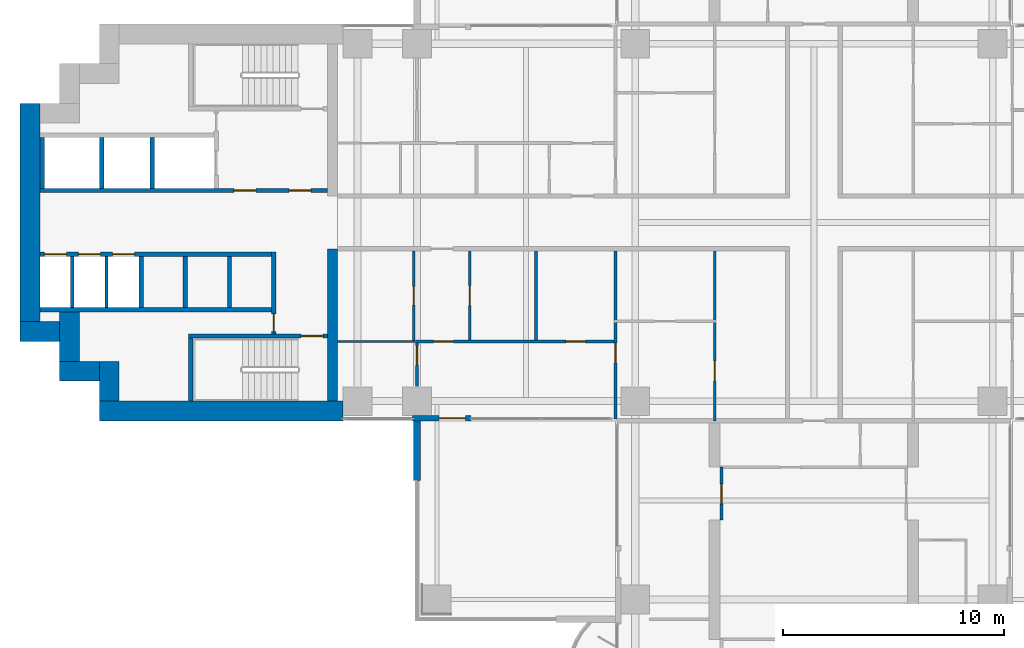
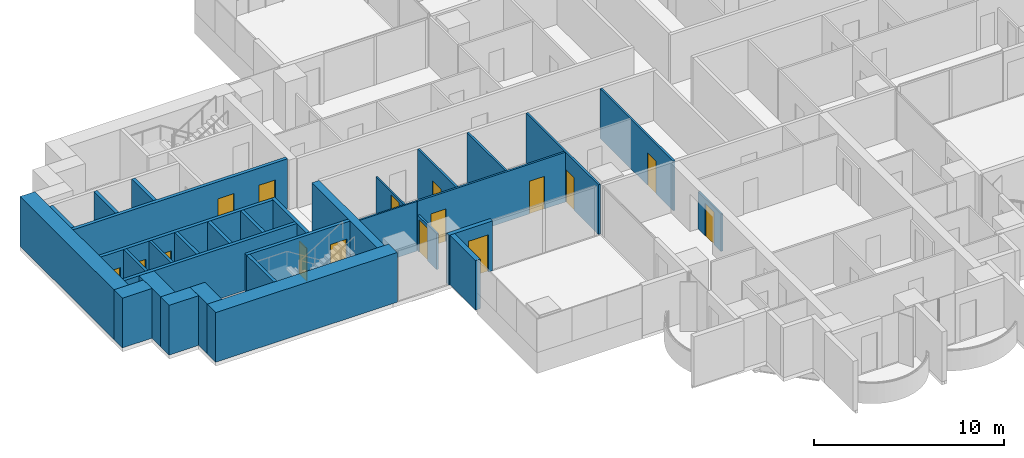
# One storey, part 10 of 21: 32 walls, 16 doors, 16 openings.
"""IFC4 building model written with IfcOpenShell, lengths in metres."""

from ifc_helpers import new_model, si_unit, direction, frame, frame_2d, origin, place, context, subcontext, project, spatial, rectangle, extrude, material, layer, layer_set, type_object, element, fill, save


model = new_model("IFC4")

# Units and contexts
model_context = context("Model", 3, precision=1e-05, world=origin(), true_north=direction((0.0, 1.0)))
body_context = subcontext(model_context, "Body", "Model", "MODEL_VIEW")
ifc_project = project(units=[si_unit("LENGTHUNIT", "METRE"), si_unit("AREAUNIT", "SQUARE_METRE"), si_unit("VOLUMEUNIT", "CUBIC_METRE"), si_unit("PLANEANGLEUNIT", "RADIAN"), si_unit("MASSUNIT", "GRAM", prefix="KILO")], contexts=[model_context])

# Site, building, storey
site_placement = place(None, origin())
site = spatial("IfcSite", under=ifc_project, at=site_placement, CompositionType="ELEMENT")
building_placement = place(site_placement, origin())
building = spatial("IfcBuilding", under=site, at=building_placement, Name="Perihelion Cross Residences", CompositionType="ELEMENT")
storey_placement = place(building_placement, frame((0.0, 0.0, 89.0)))
storey = spatial("IfcBuildingStorey", under=building, at=storey_placement, Name="L20", CompositionType="ELEMENT", Elevation=89.0)

# Wall, opening, door
ifc_material_1 = material(Name="Concrete C30/37, bronze-clad", Category="concrete")
ifc_layer_1 = layer(ifc_material_1, 0.25)
ifc_layer_set_1 = layer_set([ifc_layer_1], Name="Bronze-clad pier wall 250")
wall_type_1 = type_object("IfcWallType", Name="Bronze-clad pier wall 250", PredefinedType="SOLIDWALL", material=ifc_layer_set_1)
wall_1_placement = place(storey_placement, frame((-18.199951171875, -8.875, 0.0), z_axis=(0.0, 0.0, 1.0), x_axis=(1.0, 0.0, 0.0)))
wall_1 = element("IfcWall", 1, at=wall_1_placement, inside=storey, type_object=wall_type_1, Name="Wall FW1 L20 west side south bay 2 pier", PredefinedType="SOLIDWALL", context=body_context, shape_type="SweptSolid", body=[
    extrude(rectangle(XDim=2.64990234375, YDim=0.25, at=frame_2d((1.324951171875, 0.0))), origin(), (0.0, 0.0, 1.0), 3.199951171875),
])
opening_1_placement = place(wall_1_placement, frame((1.199951171875, 0.0, 0.0)))
opening_1 = element("IfcOpeningElement", 2, at=opening_1_placement, cuts=wall_1, Name="Opening L20.E09", PredefinedType="OPENING", context=body_context, shape_type="SweptSolid", body=[
    extrude(rectangle(XDim=1.199951171875, YDim=2.39990234375, at=frame_2d((0.60009765625, 1.199951171875))), frame((0.0, 0.135009765625, 0.0), z_axis=(0.0, -1.0, 0.0), x_axis=(1.0, 0.0, 0.0)), (0.0, 0.0, 1.0), 0.27001953125),
])
ifc_material_2 = material(Name="Bronze anodised aluminium, glazed", Category="aluminium")
door_type_1 = type_object("IfcDoorType", Name="Balcony door 1200 x 2400", OperationType="NOTDEFINED", PredefinedType="DOOR", material=ifc_material_2)
door_1_placement = place(opening_1_placement, origin())
door_1 = element("IfcDoor", 3, at=door_1_placement, inside=storey, type_object=door_type_1, Name="Door L20.E09 west side south bay 2", OperationType="SINGLE_SWING_RIGHT", OverallHeight=2.39990234375, OverallWidth=1.199951171875, PredefinedType="DOOR", context=body_context, shape_type="SweptSolid", body=[
    extrude(rectangle(XDim=1.199951171875, YDim=2.39990234375, at=frame_2d((0.60009765625, 1.199951171875))), frame((0.0, 0.02490234375, 0.0), z_axis=(0.0, -1.0, 0.0), x_axis=(1.0, 0.0, 0.0)), (0.0, 0.0, 1.0), 0.050048828125),
])
fill(opening_1, door_1)

# Walls
ifc_material_3 = material(Name="Concrete C60/75", Category="concrete")
ifc_layer_2 = layer(ifc_material_3, 0.449951171875)
ifc_layer_set_2 = layer_set([ifc_layer_2], Name="Core wall, inner 450")
wall_type_2 = type_object("IfcWallType", Name="Core wall, inner 450", PredefinedType="SHEAR", material=ifc_layer_set_2)
wall_2_placement = place(storey_placement, frame((-21.824951171875, -8.10009765625, 0.0), z_axis=(0.0, 0.0, 1.0), x_axis=(0.0, 1.0, 0.0)))
element("IfcWall", 4, at=wall_2_placement, inside=storey, type_object=wall_type_2, Name="West core core wall, inner", PredefinedType="SHEAR", context=body_context, shape_type="SweptSolid", body=[
    extrude(rectangle(XDim=6.900146484375, YDim=0.449951171875, at=frame_2d((3.4501953125, 0.0))), origin(), (0.0, 0.0, 1.0), 3.199951171875),
])
ifc_material_4 = material(Name="Concrete C60/75", Category="concrete")
ifc_layer_3 = layer(ifc_material_4, 0.89990234375)
ifc_layer_set_3 = layer_set([ifc_layer_3], Name="Core wall, outer 900")
wall_type_3 = type_object("IfcWallType", Name="Core wall, outer 900", PredefinedType="SHEAR", material=ifc_layer_set_3)
wall_3_placement = place(storey_placement, frame((-32.39990234375, -8.550048828125, 0.0), z_axis=(0.0, 0.0, 1.0), x_axis=(1.0, 0.0, 0.0)))
element("IfcWall", 5, at=wall_3_placement, inside=storey, type_object=wall_type_3, Name="West core core wall, outer", PredefinedType="SHEAR", context=body_context, shape_type="SweptSolid", body=[
    extrude(rectangle(XDim=11.0498046875, YDim=0.89990234375, at=frame_2d((5.52490234375, 0.0))), origin(), (0.0, 0.0, 1.0), 3.199951171875),
])
for number, where, z_axis, x_axis, name in (
    (6, (-31.949951171875, -8.10009765625, 0.0), (0.0, 0.0, 1.0), (0.0, 1.0, 0.0), "West core core wall, outer"),
    (7, (-34.199951171875, -6.75, 0.0), (0.0, 0.0, 1.0), (1.0, 0.0, 0.0), "West core core wall, outer"),
):
    element("IfcWall", number, at=place(storey_placement, frame(where, z_axis=z_axis, x_axis=x_axis)), inside=storey, type_object=wall_type_3, Name=name, PredefinedType="SHEAR", context=body_context, shape_type="SweptSolid", body=[
        extrude(rectangle(XDim=1.800048828125, YDim=0.89990234375, at=frame_2d((0.89990234375, 0.0))), origin(), (0.0, 0.0, 1.0), 3.199951171875),
    ])
wall_4_placement = place(storey_placement, frame((-33.75, -6.300048828125, 0.0), z_axis=(0.0, 0.0, 1.0), x_axis=(0.0, 1.0, 0.0)))
element("IfcWall", 8, at=wall_4_placement, inside=storey, type_object=wall_type_3, Name="West core core wall, outer", PredefinedType="SHEAR", context=body_context, shape_type="SweptSolid", body=[
    extrude(rectangle(XDim=2.25, YDim=0.89990234375, at=frame_2d((1.125, 0.0))), origin(), (0.0, 0.0, 1.0), 3.199951171875),
])
wall_5_placement = place(storey_placement, frame((-36.0, -4.949951171875, 0.0), z_axis=(0.0, 0.0, 1.0), x_axis=(1.0, 0.0, 0.0)))
element("IfcWall", 9, at=wall_5_placement, inside=storey, type_object=wall_type_3, Name="West core core wall, outer", PredefinedType="SHEAR", context=body_context, shape_type="SweptSolid", body=[
    extrude(rectangle(XDim=1.800048828125, YDim=0.89990234375, at=frame_2d((0.89990234375, 0.0))), origin(), (0.0, 0.0, 1.0), 3.199951171875),
])
wall_6_placement = place(storey_placement, frame((-35.550048828125, -4.5, 0.0), z_axis=(0.0, 0.0, 1.0), x_axis=(0.0, 1.0, 0.0)))
element("IfcWall", 10, at=wall_6_placement, inside=storey, type_object=wall_type_3, Name="West core core wall, outer", PredefinedType="SHEAR", context=body_context, shape_type="SweptSolid", body=[
    extrude(rectangle(XDim=9.89990234375, YDim=0.89990234375, at=frame_2d((4.949951171875, 0.0))), origin(), (0.0, 0.0, 1.0), 3.199951171875),
])

# Wall, opening, door
ifc_material_5 = material(Name="Plasterboard partition")
ifc_layer_4 = layer(ifc_material_5, 0.1201171875)
ifc_layer_set_4 = layer_set([ifc_layer_4], Name="Infill panel 120")
wall_type_4 = type_object("IfcWallType", Name="Infill panel 120", PredefinedType="PARTITIONING", material=ifc_layer_set_4)
wall_7_placement = place(storey_placement, frame((-4.18994140625, -11.10009765625, 0.0), z_axis=(0.0, 0.0, 1.0), x_axis=(0.0, -1.0, 0.0)))
wall_7 = element("IfcWall", 11, at=wall_7_placement, inside=storey, type_object=wall_type_4, Name="Partition L20 WI07", PredefinedType="PARTITIONING", context=body_context, shape_type="SweptSolid", body=[
    extrude(rectangle(XDim=2.39990234375, YDim=0.1201171875, at=frame_2d((1.199951171875, 0.0))), origin(), (0.0, 0.0, 1.0), 2.39990234375),
])
opening_2_placement = place(wall_7_placement, frame((0.75, 0.0, 0.0)))
opening_2 = element("IfcOpeningElement", 12, at=opening_2_placement, cuts=wall_7, Name="Opening L20.A63", PredefinedType="OPENING", context=body_context, shape_type="SweptSolid", body=[
    extrude(rectangle(XDim=0.89990234375, YDim=2.10009765625, at=frame_2d((0.449951171875, 1.050048828125))), frame((0.0, 0.070068359375, 0.0), z_axis=(0.0, -1.0, 0.0), x_axis=(1.0, 0.0, 0.0)), (0.0, 0.0, 1.0), 0.14013671875),
])
ifc_material_6 = material(Name="Timber door leaf", Category="wood")
door_type_2 = type_object("IfcDoorType", Name="Interior room door 900 x 2100", OperationType="SINGLE_SWING_LEFT", PredefinedType="DOOR", material=ifc_material_6)
door_2_placement = place(opening_2_placement, origin())
door_2 = element("IfcDoor", 13, at=door_2_placement, inside=storey, type_object=door_type_2, Name="Door L20.A63", OperationType="SINGLE_SWING_LEFT", OverallHeight=2.10009765625, OverallWidth=0.89990234375, PredefinedType="DOOR", context=body_context, shape_type="SweptSolid", body=[
    extrude(rectangle(XDim=0.89990234375, YDim=2.10009765625, at=frame_2d((0.449951171875, 1.050048828125))), frame((0.0, 0.02490234375, 0.0), z_axis=(0.0, -1.0, 0.0), x_axis=(1.0, 0.0, 0.0)), (0.0, 0.0, 1.0), 0.050048828125),
])
fill(opening_2, door_2)

ifc_material_7 = material(Name="Concrete C50/60", Category="concrete")
ifc_layer_5 = layer(ifc_material_7, 0.199951171875)
ifc_layer_set_5 = layer_set([ifc_layer_5], Name="Lobby wall 200")
wall_type_5 = type_object("IfcWallType", Name="Lobby wall 200", PredefinedType="SOLIDWALL", material=ifc_layer_set_5)
wall_8_placement = place(storey_placement, frame((-24.5, -5.050048828125, 0.0), z_axis=(0.0, 0.0, 1.0), x_axis=(0.0, 1.0, 0.0)))
wall_8 = element("IfcWall", 14, at=wall_8_placement, inside=storey, type_object=wall_type_5, Name="West core lobby wall", PredefinedType="SOLIDWALL", context=body_context, shape_type="SweptSolid", body=[
    extrude(rectangle(XDim=3.699951171875, YDim=0.199951171875, at=frame_2d((1.85009765625, 0.0))), origin(), (0.0, 0.0, 1.0), 3.199951171875),
])
opening_3_placement = place(wall_8_placement, frame((0.10009765625, 0.0, 0.0)))
opening_3 = element("IfcOpeningElement", 15, at=opening_3_placement, cuts=wall_8, Name="Opening L20.C18", PredefinedType="OPENING", context=body_context, shape_type="SweptSolid", body=[
    extrude(rectangle(XDim=0.800048828125, YDim=2.10009765625, at=frame_2d((0.39990234375, 1.050048828125))), frame((0.0, 0.10986328125, 0.0), z_axis=(0.0, -1.0, 0.0), x_axis=(1.0, 0.0, 0.0)), (0.0, 0.0, 1.0), 0.219970703125),
])
ifc_material_8 = material(Name="Steel, powder coated", Category="steel")
door_type_3 = type_object("IfcDoorType", Name="Riser door 800", OperationType="SINGLE_SWING_LEFT", PredefinedType="DOOR", material=ifc_material_8)
door_3_placement = place(opening_3_placement, origin())
door_3 = element("IfcDoor", 16, at=door_3_placement, inside=storey, type_object=door_type_3, Name="West core riser door", OperationType="SINGLE_SWING_LEFT", OverallHeight=2.10009765625, OverallWidth=0.800048828125, PredefinedType="DOOR", context=body_context, shape_type="SweptSolid", body=[
    extrude(rectangle(XDim=0.800048828125, YDim=2.10009765625, at=frame_2d((0.39990234375, 1.050048828125))), frame((0.0, 0.02490234375, 0.0), z_axis=(0.0, -1.0, 0.0), x_axis=(1.0, 0.0, 0.0)), (0.0, 0.0, 1.0), 0.050048828125),
])
fill(opening_3, door_3)

# Wall
ifc_material_9 = material(Name="Plasterboard partition")
ifc_layer_6 = layer(ifc_material_9, 0.1201171875)
ifc_layer_set_6 = layer_set([ifc_layer_6], Name="Partition wall 120")
wall_type_6 = type_object("IfcWallType", Name="Partition wall 120", PredefinedType="PARTITIONING", material=ifc_layer_set_6)
wall_9_placement = place(storey_placement, frame((-12.60009765625, -5.340087890625, 0.0), z_axis=(0.0, 0.0, 1.0), x_axis=(0.0, 1.0, 0.0)))
element("IfcWall", 17, at=wall_9_placement, inside=storey, type_object=wall_type_6, Name="Partition L20 W040", PredefinedType="PARTITIONING", context=body_context, shape_type="SweptSolid", body=[
    extrude(rectangle(XDim=4.0400390625, YDim=0.1201171875, at=frame_2d((2.02001953125, 0.0))), origin(), (0.0, 0.0, 1.0), 3.199951171875),
])

# Wall, openings, doors
wall_10_placement = place(storey_placement, frame((-8.93994140625, -5.39990234375, 0.0), z_axis=(0.0, 0.0, 1.0), x_axis=(-1.0, 0.0, 0.0)))
wall_10 = element("IfcWall", 18, at=wall_10_placement, inside=storey, type_object=wall_type_6, Name="Partition L20 W041", PredefinedType="PARTITIONING", context=body_context, shape_type="SweptSolid", body=[
    extrude(rectangle(XDim=9.1201171875, YDim=0.1201171875, at=frame_2d((4.56005859375, 0.0))), origin(), (0.0, 0.0, 1.0), 3.199951171875),
])
opening_4_placement = place(wall_10_placement, frame((1.409912109375, 0.0, 0.0)))
opening_4 = element("IfcOpeningElement", 19, at=opening_4_placement, cuts=wall_10, Name="Opening L20.A28", PredefinedType="OPENING", context=body_context, shape_type="SweptSolid", body=[
    extrude(rectangle(XDim=0.89990234375, YDim=2.10009765625, at=frame_2d((0.449951171875, 1.050048828125))), frame((0.0, 0.070068359375, 0.0), z_axis=(0.0, -1.0, 0.0), x_axis=(1.0, 0.0, 0.0)), (0.0, 0.0, 1.0), 0.14013671875),
])
opening_5_placement = place(wall_10_placement, frame((7.409912109375, 0.0, 0.0)))
opening_5 = element("IfcOpeningElement", 20, at=opening_5_placement, cuts=wall_10, Name="Opening L20.A33", PredefinedType="OPENING", context=body_context, shape_type="SweptSolid", body=[
    extrude(rectangle(XDim=0.89990234375, YDim=2.10009765625, at=frame_2d((0.449951171875, 1.050048828125))), frame((0.0, 0.070068359375, 0.0), z_axis=(0.0, -1.0, 0.0), x_axis=(1.0, 0.0, 0.0)), (0.0, 0.0, 1.0), 0.14013671875),
])
door_4_placement = place(opening_4_placement, origin())
door_4 = element("IfcDoor", 21, at=door_4_placement, inside=storey, type_object=door_type_2, Name="Door L20.A28", OperationType="SINGLE_SWING_RIGHT", OverallHeight=2.10009765625, OverallWidth=0.89990234375, PredefinedType="DOOR", context=body_context, shape_type="SweptSolid", body=[
    extrude(rectangle(XDim=0.89990234375, YDim=2.10009765625, at=frame_2d((0.449951171875, 1.050048828125))), frame((0.0, 0.02490234375, 0.0), z_axis=(0.0, -1.0, 0.0), x_axis=(1.0, 0.0, 0.0)), (0.0, 0.0, 1.0), 0.050048828125),
])
fill(opening_4, door_4)
door_5_placement = place(opening_5_placement, origin())
door_5 = element("IfcDoor", 22, at=door_5_placement, inside=storey, type_object=door_type_2, Name="Door L20.A33", OperationType="SINGLE_SWING_LEFT", OverallHeight=2.10009765625, OverallWidth=0.89990234375, PredefinedType="DOOR", context=body_context, shape_type="SweptSolid", body=[
    extrude(rectangle(XDim=0.89990234375, YDim=2.10009765625, at=frame_2d((0.449951171875, 1.050048828125))), frame((0.0, 0.02490234375, 0.0), z_axis=(0.0, -1.0, 0.0), x_axis=(1.0, 0.0, 0.0)), (0.0, 0.0, 1.0), 0.050048828125),
])
fill(opening_5, door_5)

# Wall, opening, door
wall_11_placement = place(storey_placement, frame((-9.0, -1.300048828125, 0.0), z_axis=(0.0, 0.0, 1.0), x_axis=(0.0, -1.0, 0.0)))
wall_11 = element("IfcWall", 23, at=wall_11_placement, inside=storey, type_object=wall_type_6, Name="Partition L20 W042", PredefinedType="PARTITIONING", context=body_context, shape_type="SweptSolid", body=[
    extrude(rectangle(XDim=7.619873046875, YDim=0.1201171875, at=frame_2d((3.81005859375, 0.0))), origin(), (0.0, 0.0, 1.0), 3.199951171875),
])
opening_6_placement = place(wall_11_placement, frame((4.169921875, 0.0, 0.0)))
opening_6 = element("IfcOpeningElement", 24, at=opening_6_placement, cuts=wall_11, Name="Opening L20.A30", PredefinedType="OPENING", context=body_context, shape_type="SweptSolid", body=[
    extrude(rectangle(XDim=0.89990234375, YDim=2.10009765625, at=frame_2d((0.449951171875, 1.050048828125))), frame((0.0, 0.070068359375, 0.0), z_axis=(0.0, -1.0, 0.0), x_axis=(1.0, 0.0, 0.0)), (0.0, 0.0, 1.0), 0.14013671875),
])
door_6_placement = place(opening_6_placement, origin())
door_6 = element("IfcDoor", 25, at=door_6_placement, inside=storey, type_object=door_type_2, Name="Door L20.A30", OperationType="SINGLE_SWING_RIGHT", OverallHeight=2.10009765625, OverallWidth=0.89990234375, PredefinedType="DOOR", context=body_context, shape_type="SweptSolid", body=[
    extrude(rectangle(XDim=0.89990234375, YDim=2.10009765625, at=frame_2d((0.449951171875, 1.050048828125))), frame((0.0, 0.02490234375, 0.0), z_axis=(0.0, -1.0, 0.0), x_axis=(1.0, 0.0, 0.0)), (0.0, 0.0, 1.0), 0.050048828125),
])
fill(opening_6, door_6)

wall_12_placement = place(storey_placement, frame((-15.60009765625, -5.340087890625, 0.0), z_axis=(0.0, 0.0, 1.0), x_axis=(0.0, 1.0, 0.0)))
wall_12 = element("IfcWall", 26, at=wall_12_placement, inside=storey, type_object=wall_type_6, Name="Partition L20 W043", PredefinedType="PARTITIONING", context=body_context, shape_type="SweptSolid", body=[
    extrude(rectangle(XDim=4.0400390625, YDim=0.1201171875, at=frame_2d((2.02001953125, 0.0))), origin(), (0.0, 0.0, 1.0), 3.199951171875),
])
opening_7_placement = place(wall_12_placement, frame((1.570068359375, 0.0, 0.0)))
opening_7 = element("IfcOpeningElement", 27, at=opening_7_placement, cuts=wall_12, Name="Opening L20.A26", PredefinedType="OPENING", context=body_context, shape_type="SweptSolid", body=[
    extrude(rectangle(XDim=0.89990234375, YDim=2.10009765625, at=frame_2d((0.449951171875, 1.050048828125))), frame((0.0, 0.070068359375, 0.0), z_axis=(0.0, -1.0, 0.0), x_axis=(1.0, 0.0, 0.0)), (0.0, 0.0, 1.0), 0.14013671875),
])
door_7_placement = place(opening_7_placement, origin())
door_7 = element("IfcDoor", 28, at=door_7_placement, inside=storey, type_object=door_type_2, Name="Door L20.A26", OperationType="SINGLE_SWING_LEFT", OverallHeight=2.10009765625, OverallWidth=0.89990234375, PredefinedType="DOOR", context=body_context, shape_type="SweptSolid", body=[
    extrude(rectangle(XDim=0.89990234375, YDim=2.10009765625, at=frame_2d((0.449951171875, 1.050048828125))), frame((0.0, 0.02490234375, 0.0), z_axis=(0.0, -1.0, 0.0), x_axis=(1.0, 0.0, 0.0)), (0.0, 0.0, 1.0), 0.050048828125),
])
fill(opening_7, door_7)

wall_13_placement = place(storey_placement, frame((-18.0, -7.449951171875, 0.0), z_axis=(0.0, 0.0, 1.0), x_axis=(0.0, 1.0, 0.0)))
wall_13 = element("IfcWall", 29, at=wall_13_placement, inside=storey, type_object=wall_type_6, Name="Partition L20 W046", PredefinedType="PARTITIONING", context=body_context, shape_type="SweptSolid", body=[
    extrude(rectangle(XDim=1.989990234375, YDim=0.1201171875, at=frame_2d((0.9951171875, 0.0))), origin(), (0.0, 0.0, 1.0), 2.2958984375),
])
opening_8_placement = place(wall_13_placement, frame((0.969970703125, 0.0, 0.0)))
opening_8 = element("IfcOpeningElement", 30, at=opening_8_placement, cuts=wall_13, Name="Opening L20.A31", PredefinedType="OPENING", context=body_context, shape_type="SweptSolid", body=[
    extrude(rectangle(XDim=0.89990234375, YDim=2.10009765625, at=frame_2d((0.449951171875, 1.050048828125))), frame((0.0, 0.070068359375, 0.0), z_axis=(0.0, -1.0, 0.0), x_axis=(1.0, 0.0, 0.0)), (0.0, 0.0, 1.0), 0.14013671875),
])
door_8_placement = place(opening_8_placement, origin())
door_8 = element("IfcDoor", 31, at=door_8_placement, inside=storey, type_object=door_type_2, Name="Door L20.A31", OperationType="SINGLE_SWING_LEFT", OverallHeight=2.10009765625, OverallWidth=0.89990234375, PredefinedType="DOOR", context=body_context, shape_type="SweptSolid", body=[
    extrude(rectangle(XDim=0.89990234375, YDim=2.10009765625, at=frame_2d((0.449951171875, 1.050048828125))), frame((0.0, 0.02490234375, 0.0), z_axis=(0.0, -1.0, 0.0), x_axis=(1.0, 0.0, 0.0)), (0.0, 0.0, 1.0), 0.050048828125),
])
fill(opening_8, door_8)

wall_14_placement = place(storey_placement, frame((-4.5, -1.300048828125, 0.0), z_axis=(0.0, 0.0, 1.0), x_axis=(0.0, -1.0, 0.0)))
wall_14 = element("IfcWall", 32, at=wall_14_placement, inside=storey, type_object=wall_type_6, Name="Partition L20 W048", PredefinedType="PARTITIONING", context=body_context, shape_type="SweptSolid", body=[
    extrude(rectangle(XDim=7.699951171875, YDim=0.1201171875, at=frame_2d((3.85009765625, 0.0))), origin(), (0.0, 0.0, 1.0), 3.199951171875),
])
opening_9_placement = place(wall_14_placement, frame((4.988037109375, 0.0, 0.0)))
opening_9 = element("IfcOpeningElement", 33, at=opening_9_placement, cuts=wall_14, Name="Opening L20.A29", PredefinedType="OPENING", context=body_context, shape_type="SweptSolid", body=[
    extrude(rectangle(XDim=0.89990234375, YDim=2.10009765625, at=frame_2d((0.449951171875, 1.050048828125))), frame((0.0, 0.070068359375, 0.0), z_axis=(0.0, -1.0, 0.0), x_axis=(1.0, 0.0, 0.0)), (0.0, 0.0, 1.0), 0.14013671875),
])
door_9_placement = place(opening_9_placement, origin())
door_9 = element("IfcDoor", 34, at=door_9_placement, inside=storey, type_object=door_type_2, Name="Door L20.A29", OperationType="SINGLE_SWING_RIGHT", OverallHeight=2.10009765625, OverallWidth=0.89990234375, PredefinedType="DOOR", context=body_context, shape_type="SweptSolid", body=[
    extrude(rectangle(XDim=0.89990234375, YDim=2.10009765625, at=frame_2d((0.449951171875, 1.050048828125))), frame((0.0, 0.02490234375, 0.0), z_axis=(0.0, -1.0, 0.0), x_axis=(1.0, 0.0, 0.0)), (0.0, 0.0, 1.0), 0.050048828125),
])
fill(opening_9, door_9)

# Walls
ifc_material_10 = material(Name="Precast concrete C50/60", Category="concrete")
ifc_layer_7 = layer(ifc_material_10, 0.300048828125)
ifc_layer_set_7 = layer_set([ifc_layer_7], Name="Precast concrete C50/60 blade wall 300")
wall_type_7 = type_object("IfcWallType", Name="Precast concrete C50/60 blade wall 300", PredefinedType="SOLIDWALL", material=ifc_layer_set_7)
wall_15_placement = place(storey_placement, frame((-18.0, -8.75, 0.0), z_axis=(0.0, 0.0, 1.0), x_axis=(0.0, -1.0, 0.0)))
element("IfcWall", 35, at=wall_15_placement, inside=storey, type_object=wall_type_7, Name="Wall BL1 L20 no. 1", PredefinedType="SOLIDWALL", context=body_context, shape_type="SweptSolid", body=[
    extrude(rectangle(XDim=2.949951171875, YDim=0.300048828125, at=frame_2d((1.47509765625, 0.0))), origin(), (0.0, 0.0, 1.0), 3.199951171875),
])
ifc_material_11 = material(Name="Concrete C50/60", Category="concrete")
ifc_layer_8 = layer(ifc_material_11, 0.14990234375)
ifc_layer_set_8 = layer_set([ifc_layer_8], Name="Shaft wall 150")
wall_type_8 = type_object("IfcWallType", Name="Shaft wall 150", PredefinedType="SOLIDWALL", material=ifc_layer_set_8)
for number, where, z_axis, x_axis, name in (
    (36, (-32.074951171875, -3.85009765625, 0.0), (0.0, 0.0, 1.0), (0.0, 1.0, 0.0), "West core shaft wall"),
    (37, (-33.625, -3.85009765625, 0.0), (0.0, 0.0, 1.0), (0.0, 1.0, 0.0), "West core shaft wall"),
):
    element("IfcWall", number, at=place(storey_placement, frame(where, z_axis=z_axis, x_axis=x_axis)), inside=storey, type_object=wall_type_8, Name=name, PredefinedType="SOLIDWALL", context=body_context, shape_type="SweptSolid", body=[
        extrude(rectangle(XDim=2.300048828125, YDim=0.14990234375, at=frame_2d((1.14990234375, 0.0))), origin(), (0.0, 0.0, 1.0), 3.199951171875),
    ])

# Wall, openings, doors
ifc_material_12 = material(Name="Concrete C50/60", Category="concrete")
ifc_layer_9 = layer(ifc_material_12, 0.199951171875)
ifc_layer_set_9 = layer_set([ifc_layer_9], Name="Shaft wall 200")
wall_type_9 = type_object("IfcWallType", Name="Shaft wall 200", PredefinedType="SOLIDWALL", material=ifc_layer_set_9)
wall_16_placement = place(storey_placement, frame((-35.10009765625, 1.449951171875, 0.0), z_axis=(0.0, 0.0, 1.0), x_axis=(1.0, 0.0, 0.0)))
wall_16 = element("IfcWall", 38, at=wall_16_placement, inside=storey, type_object=wall_type_9, Name="West core shaft wall", PredefinedType="SOLIDWALL", context=body_context, shape_type="SweptSolid", body=[
    extrude(rectangle(XDim=13.050048828125, YDim=0.199951171875, at=frame_2d((6.52490234375, 0.0))), origin(), (0.0, 0.0, 1.0), 3.199951171875),
])
opening_10_placement = place(wall_16_placement, frame((11.300048828125, 0.0, 0.0)))
opening_10 = element("IfcOpeningElement", 39, at=opening_10_placement, cuts=wall_16, Name="Opening L20.C17", PredefinedType="OPENING", context=body_context, shape_type="SweptSolid", body=[
    extrude(rectangle(XDim=1.0, YDim=2.10009765625, at=frame_2d((0.5, 1.050048828125))), frame((0.0, 0.10986328125, 0.0), z_axis=(0.0, -1.0, 0.0), x_axis=(1.0, 0.0, 0.0)), (0.0, 0.0, 1.0), 0.219970703125),
])
opening_11_placement = place(wall_16_placement, frame((8.800048828125, 0.0, 0.0)))
opening_11 = element("IfcOpeningElement", 40, at=opening_11_placement, cuts=wall_16, Name="Opening L20.C19", PredefinedType="OPENING", context=body_context, shape_type="SweptSolid", body=[
    extrude(rectangle(XDim=1.0, YDim=2.10009765625, at=frame_2d((0.5, 1.050048828125))), frame((0.0, 0.10986328125, 0.0), z_axis=(0.0, -1.0, 0.0), x_axis=(1.0, 0.0, 0.0)), (0.0, 0.0, 1.0), 0.219970703125),
])
ifc_material_13 = material(Name="Steel, powder coated", Category="steel")
door_type_4 = type_object("IfcDoorType", Name="Lobby door 1000", OperationType="SINGLE_SWING_LEFT", PredefinedType="DOOR", material=ifc_material_13)
door_10_placement = place(opening_10_placement, origin())
door_10 = element("IfcDoor", 41, at=door_10_placement, inside=storey, type_object=door_type_4, Name="West core firefighting lobby door", OperationType="SINGLE_SWING_LEFT", OverallHeight=2.10009765625, OverallWidth=1.0, PredefinedType="DOOR", context=body_context, shape_type="SweptSolid", body=[
    extrude(rectangle(XDim=1.0, YDim=2.10009765625, at=frame_2d((0.5, 1.050048828125))), frame((0.0, 0.02490234375, 0.0), z_axis=(0.0, -1.0, 0.0), x_axis=(1.0, 0.0, 0.0)), (0.0, 0.0, 1.0), 0.050048828125),
])
fill(opening_10, door_10)
door_11_placement = place(opening_11_placement, origin())
door_11 = element("IfcDoor", 42, at=door_11_placement, inside=storey, type_object=door_type_4, Name="West core firefighting lobby door", OperationType="SINGLE_SWING_LEFT", OverallHeight=2.10009765625, OverallWidth=1.0, PredefinedType="DOOR", context=body_context, shape_type="SweptSolid", body=[
    extrude(rectangle(XDim=1.0, YDim=2.10009765625, at=frame_2d((0.5, 1.050048828125))), frame((0.0, 0.02490234375, 0.0), z_axis=(0.0, -1.0, 0.0), x_axis=(1.0, 0.0, 0.0)), (0.0, 0.0, 1.0), 0.050048828125),
])
fill(opening_11, door_11)

wall_17_placement = place(storey_placement, frame((-35.10009765625, -1.449951171875, 0.0), z_axis=(0.0, 0.0, 1.0), x_axis=(1.0, 0.0, 0.0)))
wall_17 = element("IfcWall", 43, at=wall_17_placement, inside=storey, type_object=wall_type_9, Name="West core shaft wall", PredefinedType="SOLIDWALL", context=body_context, shape_type="SweptSolid", body=[
    extrude(rectangle(XDim=10.5, YDim=0.199951171875, at=frame_2d((5.25, 0.0))), origin(), (0.0, 0.0, 1.0), 3.199951171875),
])
opening_12_placement = place(wall_17_placement, frame((3.300048828125, 0.0, 0.0)))
opening_12 = element("IfcOpeningElement", 44, at=opening_12_placement, cuts=wall_17, Name="Opening L20.C12", PredefinedType="OPENING", context=body_context, shape_type="SweptSolid", body=[
    extrude(rectangle(XDim=1.0, YDim=2.10009765625, at=frame_2d((0.5, 1.050048828125))), frame((0.0, 0.10986328125, 0.0), z_axis=(0.0, -1.0, 0.0), x_axis=(1.0, 0.0, 0.0)), (0.0, 0.0, 1.0), 0.219970703125),
])
opening_13_placement = place(wall_17_placement, frame((1.75, 0.0, 0.0)))
opening_13 = element("IfcOpeningElement", 45, at=opening_13_placement, cuts=wall_17, Name="Opening L20.C13", PredefinedType="OPENING", context=body_context, shape_type="SweptSolid", body=[
    extrude(rectangle(XDim=1.0, YDim=2.10009765625, at=frame_2d((0.5, 1.050048828125))), frame((0.0, 0.10986328125, 0.0), z_axis=(0.0, -1.0, 0.0), x_axis=(1.0, 0.0, 0.0)), (0.0, 0.0, 1.0), 0.219970703125),
])
opening_14_placement = place(wall_17_placement, frame((0.199951171875, 0.0, 0.0)))
opening_14 = element("IfcOpeningElement", 46, at=opening_14_placement, cuts=wall_17, Name="Opening L20.C14", PredefinedType="OPENING", context=body_context, shape_type="SweptSolid", body=[
    extrude(rectangle(XDim=1.0, YDim=2.10009765625, at=frame_2d((0.5, 1.050048828125))), frame((0.0, 0.10986328125, 0.0), z_axis=(0.0, -1.0, 0.0), x_axis=(1.0, 0.0, 0.0)), (0.0, 0.0, 1.0), 0.219970703125),
])
ifc_material_14 = material(Name="Stainless steel", Category="steel")
door_type_5 = type_object("IfcDoorType", Name="Landing door 1000", OperationType="DOUBLE_DOOR_SLIDING", PredefinedType="DOOR", material=ifc_material_14)
door_12_placement = place(opening_12_placement, origin())
door_12 = element("IfcDoor", 47, at=door_12_placement, inside=storey, type_object=door_type_5, Name="Landing door, West core low-rise lift 1", OperationType="DOUBLE_DOOR_SLIDING", OverallHeight=2.10009765625, OverallWidth=1.0, PredefinedType="DOOR", context=body_context, shape_type="SweptSolid", body=[
    extrude(rectangle(XDim=1.0, YDim=2.10009765625, at=frame_2d((0.5, 1.050048828125))), frame((0.0, 0.02490234375, 0.0), z_axis=(0.0, -1.0, 0.0), x_axis=(1.0, 0.0, 0.0)), (0.0, 0.0, 1.0), 0.050048828125),
])
fill(opening_12, door_12)
door_13_placement = place(opening_13_placement, origin())
door_13 = element("IfcDoor", 48, at=door_13_placement, inside=storey, type_object=door_type_5, Name="Landing door, West core low-rise lift 2", OperationType="DOUBLE_DOOR_SLIDING", OverallHeight=2.10009765625, OverallWidth=1.0, PredefinedType="DOOR", context=body_context, shape_type="SweptSolid", body=[
    extrude(rectangle(XDim=1.0, YDim=2.10009765625, at=frame_2d((0.5, 1.050048828125))), frame((0.0, 0.02490234375, 0.0), z_axis=(0.0, -1.0, 0.0), x_axis=(1.0, 0.0, 0.0)), (0.0, 0.0, 1.0), 0.050048828125),
])
fill(opening_13, door_13)
door_14_placement = place(opening_14_placement, origin())
door_14 = element("IfcDoor", 49, at=door_14_placement, inside=storey, type_object=door_type_5, Name="Landing door, West core low-rise lift 3", OperationType="DOUBLE_DOOR_SLIDING", OverallHeight=2.10009765625, OverallWidth=1.0, PredefinedType="DOOR", context=body_context, shape_type="SweptSolid", body=[
    extrude(rectangle(XDim=1.0, YDim=2.10009765625, at=frame_2d((0.5, 1.050048828125))), frame((0.0, 0.02490234375, 0.0), z_axis=(0.0, -1.0, 0.0), x_axis=(1.0, 0.0, 0.0)), (0.0, 0.0, 1.0), 0.050048828125),
])
fill(opening_14, door_14)

# Walls
wall_18_placement = place(storey_placement, frame((-35.10009765625, -3.949951171875, 0.0), z_axis=(0.0, 0.0, 1.0), x_axis=(1.0, 0.0, 0.0)))
element("IfcWall", 50, at=wall_18_placement, inside=storey, type_object=wall_type_9, Name="West core shaft wall", PredefinedType="SOLIDWALL", context=body_context, shape_type="SweptSolid", body=[
    extrude(rectangle(XDim=10.5, YDim=0.199951171875, at=frame_2d((5.25, 0.0))), origin(), (0.0, 0.0, 1.0), 3.199951171875),
])
for number, where, z_axis, x_axis, name in (
    (51, (-30.0, 1.550048828125, 0.0), (0.0, 0.0, 1.0), (0.0, 1.0, 0.0), "West core shaft wall"),
    (52, (-32.300048828125, 1.550048828125, 0.0), (0.0, 0.0, 1.0), (0.0, 1.0, 0.0), "West core shaft wall"),
    (53, (-35.0, 1.550048828125, 0.0), (0.0, 0.0, 1.0), (0.0, 1.0, 0.0), "West core shaft wall"),
    (54, (-26.5, -3.85009765625, 0.0), (0.0, 0.0, 1.0), (0.0, 1.0, 0.0), "West core shaft wall"),
    (55, (-28.5, -3.85009765625, 0.0), (0.0, 0.0, 1.0), (0.0, 1.0, 0.0), "West core shaft wall"),
    (56, (-30.5, -3.85009765625, 0.0), (0.0, 0.0, 1.0), (0.0, 1.0, 0.0), "West core shaft wall"),
):
    element("IfcWall", number, at=place(storey_placement, frame(where, z_axis=z_axis, x_axis=x_axis)), inside=storey, type_object=wall_type_9, Name=name, PredefinedType="SOLIDWALL", context=body_context, shape_type="SweptSolid", body=[
        extrude(rectangle(XDim=2.300048828125, YDim=0.199951171875, at=frame_2d((1.14990234375, 0.0))), origin(), (0.0, 0.0, 1.0), 3.199951171875),
    ])

# Wall, opening, door
ifc_material_15 = material(Name="Concrete C50/60", Category="concrete")
ifc_layer_10 = layer(ifc_material_15, 0.199951171875)
ifc_layer_set_10 = layer_set([ifc_layer_10], Name="Stair wall 200")
wall_type_10 = type_object("IfcWallType", Name="Stair wall 200", PredefinedType="SOLIDWALL", material=ifc_layer_set_10)
wall_19_placement = place(storey_placement, frame((-28.35009765625, -5.14990234375, 0.0), z_axis=(0.0, 0.0, 1.0), x_axis=(1.0, 0.0, 0.0)))
wall_19 = element("IfcWall", 57, at=wall_19_placement, inside=storey, type_object=wall_type_10, Name="West core stair wall", PredefinedType="SOLIDWALL", context=body_context, shape_type="SweptSolid", body=[
    extrude(rectangle(XDim=6.300048828125, YDim=0.199951171875, at=frame_2d((3.14990234375, 0.0))), origin(), (0.0, 0.0, 1.0), 3.199951171875),
])
opening_15_placement = place(wall_19_placement, frame((5.10009765625, 0.0, 0.0)))
opening_15 = element("IfcOpeningElement", 58, at=opening_15_placement, cuts=wall_19, Name="Opening L20.C15", PredefinedType="OPENING", context=body_context, shape_type="SweptSolid", body=[
    extrude(rectangle(XDim=1.0, YDim=2.10009765625, at=frame_2d((0.5, 1.050048828125))), frame((0.0, 0.10986328125, 0.0), z_axis=(0.0, -1.0, 0.0), x_axis=(1.0, 0.0, 0.0)), (0.0, 0.0, 1.0), 0.219970703125),
])
ifc_material_16 = material(Name="Steel, powder coated", Category="steel")
door_type_6 = type_object("IfcDoorType", Name="Stair door 1000", OperationType="SINGLE_SWING_LEFT", PredefinedType="DOOR", material=ifc_material_16)
door_15_placement = place(opening_15_placement, origin())
door_15 = element("IfcDoor", 59, at=door_15_placement, inside=storey, type_object=door_type_6, Name="West core stair door", OperationType="SINGLE_SWING_LEFT", OverallHeight=2.10009765625, OverallWidth=1.0, PredefinedType="DOOR", context=body_context, shape_type="SweptSolid", body=[
    extrude(rectangle(XDim=1.0, YDim=2.10009765625, at=frame_2d((0.5, 1.050048828125))), frame((0.0, 0.02490234375, 0.0), z_axis=(0.0, -1.0, 0.0), x_axis=(1.0, 0.0, 0.0)), (0.0, 0.0, 1.0), 0.050048828125),
])
fill(opening_15, door_15)

# Wall
wall_20_placement = place(storey_placement, frame((-28.25, -8.10009765625, 0.0), z_axis=(0.0, 0.0, 1.0), x_axis=(0.0, 1.0, 0.0)))
element("IfcWall", 60, at=wall_20_placement, inside=storey, type_object=wall_type_10, Name="West core stair wall", PredefinedType="SOLIDWALL", context=body_context, shape_type="SweptSolid", body=[
    extrude(rectangle(XDim=2.85009765625, YDim=0.199951171875, at=frame_2d((1.425048828125, 0.0))), origin(), (0.0, 0.0, 1.0), 3.199951171875),
])

# Wall, opening, door
ifc_material_17 = material(Name="Plasterboard partition")
ifc_layer_11 = layer(ifc_material_17, 0.10009765625)
ifc_layer_set_11 = layer_set([ifc_layer_11], Name="Wet room wall 100")
wall_type_11 = type_object("IfcWallType", Name="Wet room wall 100", PredefinedType="PARTITIONING", material=ifc_layer_set_11)
wall_21_placement = place(storey_placement, frame((-18.14990234375, -5.35009765625, 0.0), z_axis=(0.0, 0.0, 1.0), x_axis=(0.0, 1.0, 0.0)))
wall_21 = element("IfcWall", 61, at=wall_21_placement, inside=storey, type_object=wall_type_11, Name="Partition L20 W044", PredefinedType="PARTITIONING", context=body_context, shape_type="SweptSolid", body=[
    extrude(rectangle(XDim=4.050048828125, YDim=0.10009765625, at=frame_2d((2.02490234375, 0.0))), origin(), (0.0, 0.0, 1.0), 2.2958984375),
])
opening_16_placement = place(wall_21_placement, frame((1.60009765625, 0.0, 0.0)))
opening_16 = element("IfcOpeningElement", 62, at=opening_16_placement, cuts=wall_21, Name="Opening L20.A32", PredefinedType="OPENING", context=body_context, shape_type="SweptSolid", body=[
    extrude(rectangle(XDim=0.85009765625, YDim=2.10009765625, at=frame_2d((0.425048828125, 1.050048828125))), frame((0.0, 0.06005859375, 0.0), z_axis=(0.0, -1.0, 0.0), x_axis=(1.0, 0.0, 0.0)), (0.0, 0.0, 1.0), 0.1201171875),
])
ifc_material_18 = material(Name="Timber door leaf", Category="wood")
door_type_7 = type_object("IfcDoorType", Name="Interior bathroom door 850 x 2100", OperationType="SINGLE_SWING_LEFT", PredefinedType="DOOR", material=ifc_material_18)
door_16_placement = place(opening_16_placement, origin())
door_16 = element("IfcDoor", 63, at=door_16_placement, inside=storey, type_object=door_type_7, Name="Door L20.A32", OperationType="SINGLE_SWING_LEFT", OverallHeight=2.10009765625, OverallWidth=0.85009765625, PredefinedType="DOOR", context=body_context, shape_type="SweptSolid", body=[
    extrude(rectangle(XDim=0.85009765625, YDim=2.10009765625, at=frame_2d((0.425048828125, 1.050048828125))), frame((0.0, 0.02490234375, 0.0), z_axis=(0.0, -1.0, 0.0), x_axis=(1.0, 0.0, 0.0)), (0.0, 0.0, 1.0), 0.050048828125),
])
fill(opening_16, door_16)

# Wall
wall_22_placement = place(storey_placement, frame((-18.10009765625, -5.39990234375, 0.0), z_axis=(0.0, 0.0, 1.0), x_axis=(-1.0, 0.0, 0.0)))
element("IfcWall", 64, at=wall_22_placement, inside=storey, type_object=wall_type_11, Name="Partition L20 W045", PredefinedType="PARTITIONING", context=body_context, shape_type="SweptSolid", body=[
    extrude(rectangle(XDim=3.5, YDim=0.10009765625, at=frame_2d((1.75, 0.0))), origin(), (0.0, 0.0, 1.0), 3.199951171875),
])

save(model, "model.ifc")
